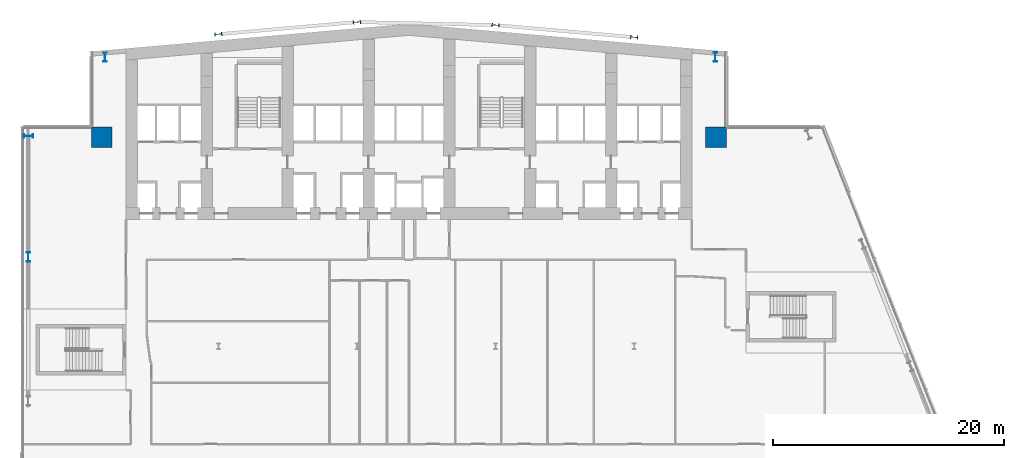
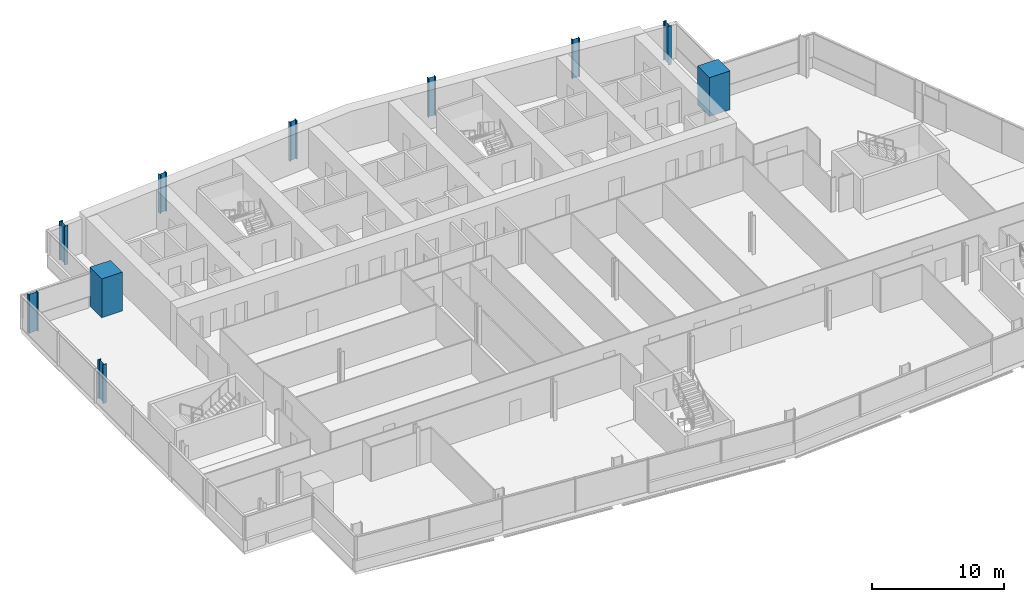
# One storey, part 3 of 25: 10 columns.
"""IFC4 building model written with IfcOpenShell, lengths in metres."""

from ifc_helpers import new_model, si_unit, direction, frame, origin, origin_2d, place, context, subcontext, project, spatial, rectangle, i_section, extrude, material, material_profile, profile_set, type_object, element, save


model = new_model("IFC4")

# Units and contexts
model_context = context("Model", 3, precision=1e-05, world=origin(), true_north=direction((0.0, 1.0)))
body_context = subcontext(model_context, "Body", "Model", "MODEL_VIEW")
ifc_project = project(units=[si_unit("LENGTHUNIT", "METRE"), si_unit("AREAUNIT", "SQUARE_METRE"), si_unit("VOLUMEUNIT", "CUBIC_METRE"), si_unit("PLANEANGLEUNIT", "RADIAN"), si_unit("MASSUNIT", "GRAM", prefix="KILO")], contexts=[model_context])

# Site, building, storey
site_placement = place(None, origin())
site = spatial("IfcSite", under=ifc_project, at=site_placement, CompositionType="ELEMENT")
building_placement = place(site_placement, origin())
building = spatial("IfcBuilding", under=site, at=building_placement, Name="Wharfspan Tower", CompositionType="ELEMENT")
storey_placement = place(building_placement, frame((0.0, 0.0, 143.5)))
storey = spatial("IfcBuildingStorey", under=building, at=storey_placement, Name="L34", CompositionType="ELEMENT", Elevation=143.5)

# Columns
ifc_material_1 = material(Name="Steel S355J2", Category="steel")
ifc_material_profile_1 = material_profile(ifc_material_1, i_section(OverallWidth=0.304932, OverallDepth=0.620117, WebThickness=0.020996, FlangeThickness=0.040039, FilletRadius=0.0271, at=origin_2d()))
ifc_profile_set_1 = profile_set([ifc_material_profile_1], Name="Steel S355J2")
column_type_1 = type_object("IfcColumnType", Name="Column HEM 600", PredefinedType="COLUMN", material=ifc_profile_set_1)
for number, where, z_axis, x_axis, name in (
    (1, (24.0, 50.027344, 0.0), (0.0, 0.0, 1.0), (-0.087156, 0.996198, 0.0), "Rear column R.1 L34"),
    (2, (36.0, 51.077148, 0.0), (0.0, 0.0, 1.0), (-0.087156, 0.996198, 0.0), "Rear column R.2 L34"),
    (3, (48.0, 50.814697, 0.0), (0.0, 0.0, 1.0), (0.087156, 0.996198, 0.0), "Rear column R.3 L34"),
    (4, (60.0, 49.764893, 0.0), (0.0, 0.0, 1.0), (0.087156, 0.996198, 0.0), "Rear column R.4 L34"),
):
    element("IfcColumn", number, at=place(storey_placement, frame(where, z_axis=z_axis, x_axis=x_axis)), inside=storey, type_object=column_type_1, Name=name, PredefinedType="COLUMN", context=body_context, shape_type="SweptSolid", body=[
        extrude(i_section(OverallWidth=0.304932, OverallDepth=0.620117, WebThickness=0.020996, FlangeThickness=0.040039, FilletRadius=0.0271, at=origin_2d()), origin(), (0.0, 0.0, 1.0), 3.600098),
    ])
ifc_material_profile_2 = material_profile(ifc_material_1, i_section(OverallWidth=0.302979, OverallDepth=0.813965, WebThickness=0.020996, FlangeThickness=0.040039, FilletRadius=0.030029, at=origin_2d()))
ifc_profile_set_2 = profile_set([ifc_material_profile_2], Name="Steel S355J2")
column_type_2 = type_object("IfcColumnType", Name="Column HEM 800", PredefinedType="COLUMN", material=ifc_profile_set_2)
for number, where, z_axis, x_axis, name in (
    (5, (67.031982, 48.035645, 0.0), (0.0, 0.0, 1.0), (1.0, 0.0, 0.0), "Perimeter column PNRE-V.1 L34"),
    (6, (14.171631, 48.03418, 0.0), (0.0, 0.0, 1.0), (-1.0, 0.0, 0.0), "Perimeter column PNRW-V.1 L34"),
    (7, (7.544434, 41.208008, 0.0), (0.0, 0.0, 1.0), (0.0, 1.0, 0.0), "Perimeter column PNRW-H.1 L34"),
    (8, (7.540039, 30.733398, 0.0), (0.0, 0.0, 1.0), (-1.0, 0.0, 0.0), "Perimeter column PW.1 L34"),
):
    element("IfcColumn", number, at=place(storey_placement, frame(where, z_axis=z_axis, x_axis=x_axis)), inside=storey, type_object=column_type_2, Name=name, PredefinedType="COLUMN", context=body_context, shape_type="SweptSolid", body=[
        extrude(i_section(OverallWidth=0.302979, OverallDepth=0.813965, WebThickness=0.020996, FlangeThickness=0.040039, FilletRadius=0.030029, at=origin_2d()), origin(), (0.0, 0.0, 1.0), 3.600098),
    ])
ifc_material_2 = material(Name="Concrete C70/85", Category="concrete")
ifc_material_profile_3 = material_profile(ifc_material_2, rectangle(XDim=1.800049, YDim=1.800049, at=origin_2d()))
ifc_profile_set_3 = profile_set([ifc_material_profile_3], Name="Concrete C70/85")
column_type_3 = type_object("IfcColumnType", Name="Mega column 1800 C70/85", PredefinedType="COLUMN", material=ifc_profile_set_3)
for number, where, z_axis, x_axis, name in (
    (9, (13.899902, 41.100098, 0.0), (0.0, 0.0, 1.0), (1.0, 0.0, 0.0), "Mega column MC2 L34"),
    (10, (67.100098, 41.100098, 0.0), (0.0, 0.0, 1.0), (1.0, 0.0, 0.0), "Mega column MC3 L34"),
):
    element("IfcColumn", number, at=place(storey_placement, frame(where, z_axis=z_axis, x_axis=x_axis)), inside=storey, type_object=column_type_3, Name=name, PredefinedType="COLUMN", context=body_context, shape_type="SweptSolid", body=[
        extrude(rectangle(XDim=1.800049, YDim=1.800049, at=origin_2d()), origin(), (0.0, 0.0, 1.0), 3.600098),
    ])

save(model, "model.ifc")
